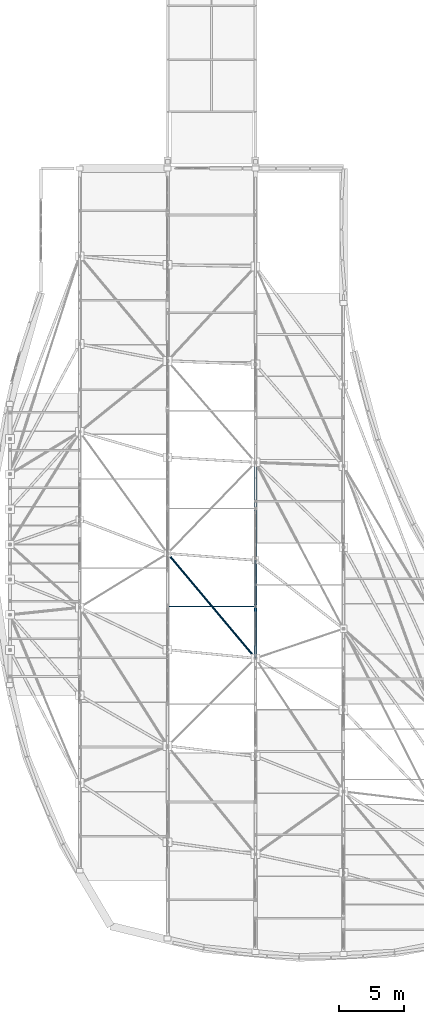
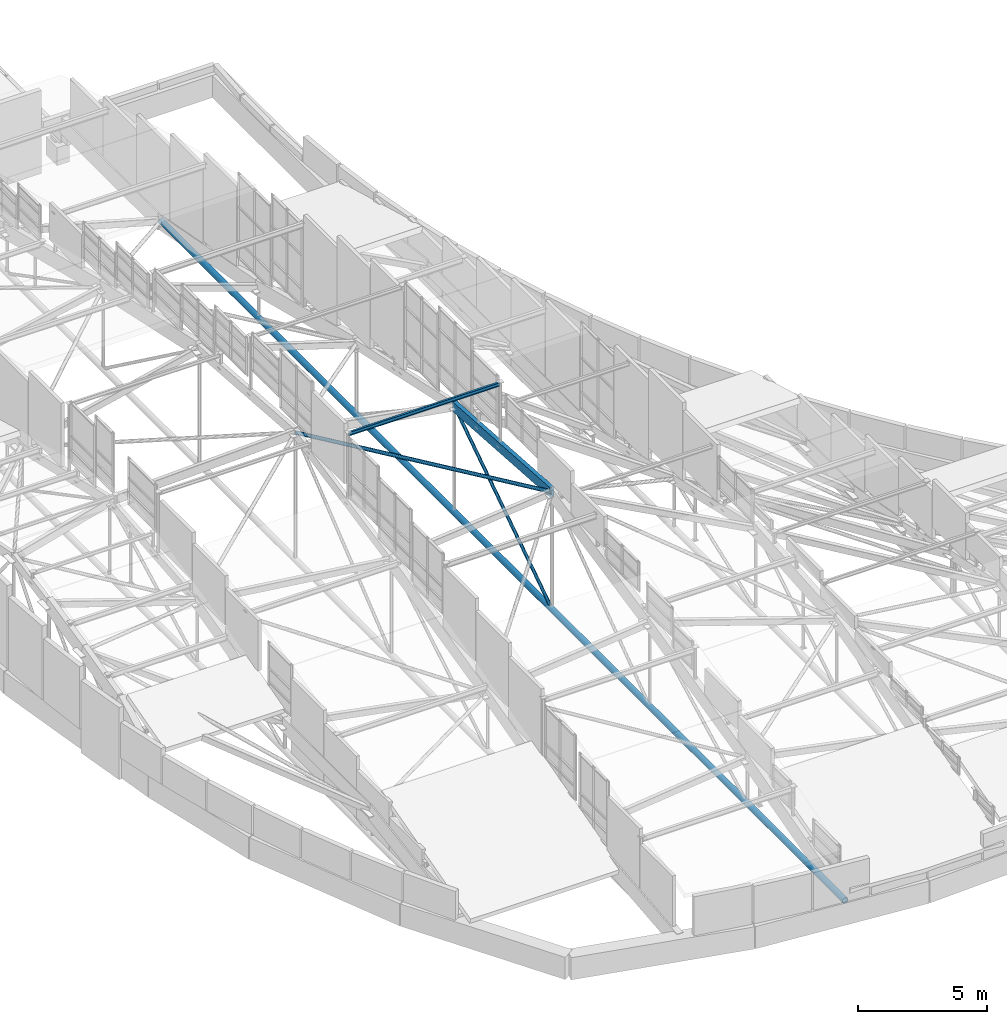
# One storey, part 24 of 188: 5 members.
"""IFC4 building model written with IfcOpenShell, lengths in metres."""

from ifc_helpers import new_model, si_unit, direction, frame, origin, origin_2d, place, context, subcontext, project, spatial, rectangle, hollow_circle, i_section, extrude, material, material_profile, profile_set, type_object, element, save


model = new_model("IFC4")

# Units and contexts
model_context = context("Model", 3, precision=1e-05, world=origin(), true_north=direction((0.0, 1.0)))
body_context = subcontext(model_context, "Body", "Model", "MODEL_VIEW")
ifc_project = project(units=[si_unit("LENGTHUNIT", "METRE"), si_unit("AREAUNIT", "SQUARE_METRE"), si_unit("VOLUMEUNIT", "CUBIC_METRE"), si_unit("PLANEANGLEUNIT", "RADIAN"), si_unit("MASSUNIT", "GRAM", prefix="KILO")], contexts=[model_context])

# Site, building, storey
site_placement = place(None, origin())
site = spatial("IfcSite", under=ifc_project, at=site_placement, CompositionType="ELEMENT")
building_placement = place(site_placement, origin())
building = spatial("IfcBuilding", under=site, at=building_placement, Name="Kisaragi Civic Commons", CompositionType="ELEMENT")
storey_placement = place(building_placement, frame((0.0, 0.0, 9.60009765625)))
storey = spatial("IfcBuildingStorey", under=building, at=storey_placement, Name="L02", CompositionType="ELEMENT", Elevation=9.60009765625)

# Members
ifc_material_1 = material(Name="Steel SN400 (SN400B)", Category="steel")
ifc_material_profile_1 = material_profile(ifc_material_1, hollow_circle(Radius=0.08251953125, WallThickness=0.006103515625, at=origin_2d()), Name="CHS-165.2x6.0", Category="steel")
ifc_profile_set_1 = profile_set([ifc_material_profile_1], Name="Steel SN400 (SN400B)")
member_type_1 = type_object("IfcMemberType", Name="BR-02", PredefinedType="BRACE", material=ifc_profile_set_1)
member_1_placement = place(storey_placement, frame((13.60009765625, 32.620361328125, 5.319091796875), z_axis=(0.642373790014, -0.765949790549, -0.026016000113), x_axis=(0.766209131969, 0.642591290081, 0.0)))
element("IfcMember", 1, at=member_1_placement, inside=storey, type_object=member_type_1, Name="V1 diagonal gridshell steel brace 15", PredefinedType="BRACE", context=body_context, shape_type="SweptSolid", body=[
    extrude(hollow_circle(Radius=0.08251953125, WallThickness=0.006103515625, at=origin_2d()), origin(), (0.0, 0.0, 1.0), 10.58544921875),
])
ifc_material_2 = material(Name="Glulam E120-F330", Category="wood")
ifc_material_profile_2 = material_profile(ifc_material_2, rectangle(XDim=0.179931640625, YDim=0.449951171875, at=origin_2d()), Name="GL-180x450", Category="wood")
ifc_profile_set_2 = profile_set([ifc_material_profile_2], Name="Glulam E120-F330")
member_type_2 = type_object("IfcMemberType", Name="GR-05", PredefinedType="RAFTER", material=ifc_profile_set_2)
member_2_placement = place(storey_placement, frame((20.39990234375, 24.512451171875, 5.043701171875), z_axis=(0.0, 0.997703778618, -0.067728650736), x_axis=(-1.0, 0.0, 0.0)))
element("IfcMember", 2, at=member_2_placement, inside=storey, type_object=member_type_2, Name="V1 glulam arch rib GR-05 28", PredefinedType="RAFTER", context=body_context, shape_type="SweptSolid", body=[
    extrude(rectangle(XDim=0.179931640625, YDim=0.449951171875, at=origin_2d()), origin(), (0.0, 0.0, 1.0), 7.594970703125),
])
ifc_material_profile_3 = material_profile(ifc_material_1, i_section(OverallWidth=0.090087890625, OverallDepth=0.175048828125, WebThickness=0.0048828125, FlangeThickness=0.008056640625, FilletRadius=0.008056640625, at=origin_2d()), Name="H-175x90x5x8", Category="steel")
ifc_profile_set_3 = profile_set([ifc_material_profile_3], Name="Steel SN400 (SN400B)")
member_type_3 = type_object("IfcMemberType", Name="PR-03", PredefinedType="PURLIN", material=ifc_profile_set_3)
member_3_placement = place(storey_placement, frame((13.60009765625, 28.526611328125, 7.736083984375), z_axis=(1.0, 0.0, 0.0), x_axis=(0.0, 1.0, 0.0)))
element("IfcMember", 3, at=member_3_placement, inside=storey, type_object=member_type_3, Name="V1 wave vault steel purlin 20", PredefinedType="PURLIN", context=body_context, shape_type="SweptSolid", body=[
    extrude(i_section(OverallWidth=0.090087890625, OverallDepth=0.175048828125, WebThickness=0.0048828125, FlangeThickness=0.008056640625, FilletRadius=0.008056640625, at=origin_2d()), origin(), (0.0, 0.0, 1.0), 6.7998046875),
])
ifc_material_3 = material(Name="Steel SN490 (SN490B)", Category="steel")
ifc_material_profile_4 = material_profile(ifc_material_3, hollow_circle(Radius=0.06982421875, WallThickness=0.006103515625, at=origin_2d()), Name="CHS-139.8x6.0", Category="steel")
ifc_profile_set_4 = profile_set([ifc_material_profile_4], Name="Steel SN490 (SN490B)")
member_type_4 = type_object("IfcMemberType", Name="ST-H1", PredefinedType="STRUT", material=ifc_profile_set_4)
member_4_placement = place(storey_placement, frame((20.39990234375, 24.512451171875, -0.49951171875), z_axis=(0.0, 0.833213117551, 0.552951987735), x_axis=(-1.0, 0.0, 0.0)))
element("IfcMember", 4, at=member_4_placement, inside=storey, type_object=member_type_4, Name="V1 tied arch truss diagonal web strut 52", PredefinedType="STRUT", context=body_context, shape_type="SweptSolid", body=[
    extrude(hollow_circle(Radius=0.06982421875, WallThickness=0.006103515625, at=origin_2d()), origin(), (0.0, 0.0, 1.0), 9.094482421875),
])
ifc_material_profile_5 = material_profile(ifc_material_3, hollow_circle(Radius=0.1337890625, WallThickness=0.009033203125, at=origin_2d()), Name="CHS-267.4x9.0", Category="steel")
ifc_profile_set_5 = profile_set([ifc_material_profile_5], Name="Steel SN490 (SN490B)")
member_type_5 = type_object("IfcMemberType", Name="ST-T1", PredefinedType="STRUT", material=ifc_profile_set_5)
member_5_placement = place(storey_placement, frame((20.39990234375, 1.780029296875, -0.49951171875), z_axis=(0.0, 1.0, 0.0), x_axis=(-1.0, 0.0, 0.0)))
element("IfcMember", 5, at=member_5_placement, inside=storey, type_object=member_type_5, Name="V1 arch tension tie ST-T1 43", PredefinedType="STRUT", context=body_context, shape_type="SweptSolid", body=[
    extrude(hollow_circle(Radius=0.1337890625, WallThickness=0.009033203125, at=origin_2d()), origin(), (0.0, 0.0, 1.0), 53.04248046875),
])

save(model, "model.ifc")
